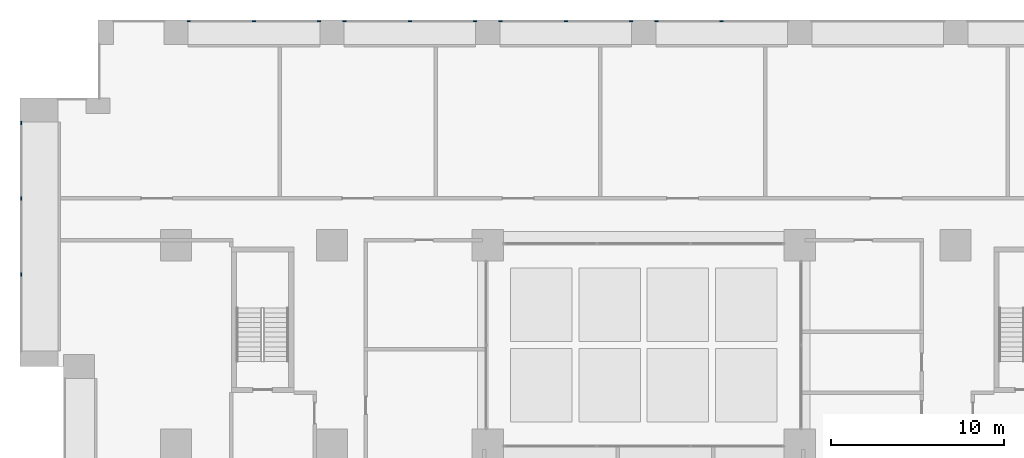
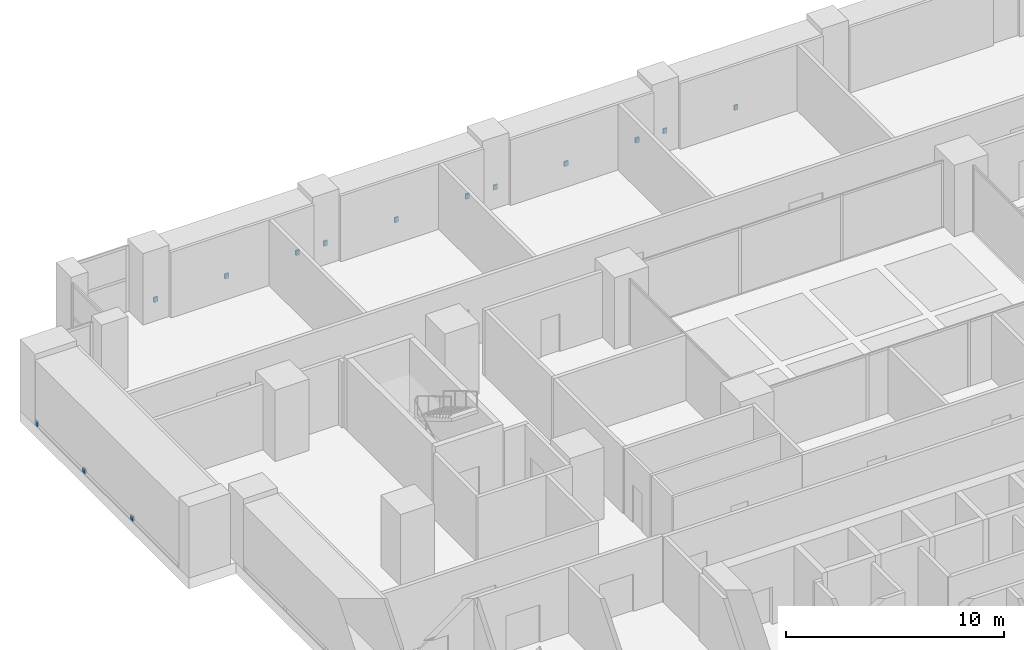
# One storey, part 14 of 24: 14 members, 5 elements without a shape of their own.
"""IFC4 building model written with IfcOpenShell, lengths in metres."""

import ifcopenshell
import ifcopenshell.guid

model = None  # the IFC model being written
_history = None  # IfcOwnerHistory: only IFC2X3 demands one
_inside = {}  # id of a spatial element -> (the spatial element, [elements in it])
_under = {}  # id of a project, library or spatial element -> (it, [spatial elements below it])
_declared = {}  # id of a project -> (the project, [libraries it declares])
_typed = {}  # id of a type object -> (the type object, [elements of that type])
_made_of = {}  # id of a material, layer set ... -> (it, [elements and type objects made of it])


def new_model(schema):
    """Start an empty IFC model of exactly this schema.

    Asked for "IFC4X3", IfcOpenShell would pick the latest addendum, in which some entities
    have other attributes; the version numbers below select the first issue.
    IFC2X3 requires an IfcOwnerHistory on every rooted entity: one is made here for all.
    """
    global model, _history
    if schema == "IFC4X3":
        model = ifcopenshell.file(schema_version=(4, 3, 0, 0))
    else:
        model = ifcopenshell.file(schema=schema)
    _inside.clear()
    _under.clear()
    _declared.clear()
    _typed.clear()
    _made_of.clear()
    _history = None
    if model.schema == "IFC2X3":
        org = make("IfcOrganization", Name="unknown")
        user = make(
            "IfcPersonAndOrganization",
            ThePerson=make("IfcPerson", FamilyName="unknown"),
            TheOrganization=org,
        )
        app = make(
            "IfcApplication",
            ApplicationDeveloper=org,
            Version="unknown",
            ApplicationFullName="unknown",
            ApplicationIdentifier="unknown",
        )
        _history = make(
            "IfcOwnerHistory",
            OwningUser=user,
            OwningApplication=app,
            ChangeAction="ADDED",
            CreationDate=0,
        )
    return model


def make(cls, **values):
    """One entity of the class cls with the attributes given. An attribute that is None is left unset."""
    return model.create_entity(
        cls, **{name: value for name, value in values.items() if value is not None}
    )


def rooted(cls, **values):
    """An entity with a GlobalId (a new one), such as an element, a storey or a relation."""
    return make(cls, GlobalId=ifcopenshell.guid.new(), OwnerHistory=_history, **values)


def si_unit(unit_type, name, prefix=None):
    """IfcSIUnit, for example si_unit("LENGTHUNIT", "METRE", prefix="MILLI")."""
    return make("IfcSIUnit", UnitType=unit_type, Prefix=prefix, Name=name)


def assignment(units):
    """IfcUnitAssignment: the units of a project."""
    return None if units is None else make("IfcUnitAssignment", Units=units)


def point(xyz):
    """IfcCartesianPoint."""
    return None if xyz is None else make("IfcCartesianPoint", Coordinates=xyz)


def direction(xyz):
    """IfcDirection."""
    return None if xyz is None else make("IfcDirection", DirectionRatios=xyz)


def frame(location, z_axis=None, x_axis=None):
    """IfcAxis2Placement3D, a coordinate frame: its origin and axes. An axis left out is left unset."""
    return make(
        "IfcAxis2Placement3D",
        Location=point(location),
        Axis=direction(z_axis),
        RefDirection=direction(x_axis),
    )


def frame_2d(location, x_axis=None):
    """IfcAxis2Placement2D, a coordinate frame in the plane: its origin and x axis."""
    return make(
        "IfcAxis2Placement2D", Location=point(location), RefDirection=direction(x_axis)
    )


def origin():
    """The frame at (0, 0, 0) with its axes left unset."""
    return frame((0.0, 0.0, 0.0))


def origin_2d():
    """The frame at (0, 0) in the plane with its x axis left unset."""
    return frame_2d((0.0, 0.0))


def place(relative_to, where):
    """IfcLocalPlacement: puts the frame where relative to a parent placement (None: the world)."""
    return make(
        "IfcLocalPlacement", PlacementRelTo=relative_to, RelativePlacement=where
    )


def context(
    kind, dimensions, precision=None, world=None, true_north=None, identifier=None
):
    """IfcGeometricRepresentationContext, for example the 3D "Model" context."""
    return make(
        "IfcGeometricRepresentationContext",
        ContextIdentifier=identifier,
        ContextType=kind,
        CoordinateSpaceDimension=dimensions,
        Precision=precision,
        WorldCoordinateSystem=world,
        TrueNorth=true_north,
    )


def subcontext(parent, identifier, kind, view, scale=None):
    """IfcGeometricRepresentationSubContext, for example "Body" below "Model"."""
    return make(
        "IfcGeometricRepresentationSubContext",
        ContextIdentifier=identifier,
        ContextType=kind,
        ParentContext=parent,
        TargetScale=scale,
        TargetView=view,
    )


def project(units=None, contexts=None):
    """IfcProject with its units and contexts."""
    return rooted(
        "IfcProject",
        Name="project",
        RepresentationContexts=contexts,
        UnitsInContext=assignment(units),
    )


def spatial(cls, under=None, at=None, **own):
    """A site, building, storey or space (cls), placed at a placement, below another one or the project."""
    s = rooted(cls, ObjectPlacement=at, **own)
    if under is not None:
        _under.setdefault(under.id(), (under, []))[1].append(s)
    return s


def profile(cls, at=None, kind="AREA", **sizes):
    """A parametric profile (cls). Its sizes go by their IFC names, for example OverallWidth=200.0."""
    return make(cls, ProfileType=kind, Position=at, **sizes)


def rectangle(**sizes):
    """IfcRectangleProfileDef."""
    return profile("IfcRectangleProfileDef", **sizes)


def extrude(swept, where, along, depth):
    """IfcExtrudedAreaSolid: the profile swept, set in the frame where, extruded along a direction by depth."""
    return make(
        "IfcExtrudedAreaSolid",
        SweptArea=swept,
        Position=where,
        ExtrudedDirection=direction(along),
        Depth=depth,
    )


def shape(context_of_items, identifier, shape_type, items):
    """IfcShapeRepresentation: the items that make up one representation, for example the "Body"."""
    return make(
        "IfcShapeRepresentation",
        ContextOfItems=context_of_items,
        RepresentationIdentifier=identifier,
        RepresentationType=shape_type,
        Items=items,
    )


def material(Name=None, Category=None):
    """IfcMaterial."""
    return make("IfcMaterial", Name=Name, Category=Category)


def layer(
    of_material, thickness, ventilated=None, Name=None, Category=None, Priority=None
):
    """IfcMaterialLayer: one layer of a wall or slab, of a material (None: an air gap)."""
    return make(
        "IfcMaterialLayer",
        Material=of_material,
        LayerThickness=thickness,
        IsVentilated=ventilated,
        Name=Name,
        Category=Category,
        Priority=Priority,
    )


def layer_set(layers, Name=None):
    """IfcMaterialLayerSet."""
    return make("IfcMaterialLayerSet", MaterialLayers=layers, LayerSetName=Name)


def material_profile(
    of_material, cross_section, Name=None, Category=None, Priority=None
):
    """IfcMaterialProfile: a cross section and its material."""
    return make(
        "IfcMaterialProfile",
        Name=Name,
        Material=of_material,
        Profile=cross_section,
        Priority=Priority,
        Category=Category,
    )


def profile_set(profiles, Name=None, composite=None):
    """IfcMaterialProfileSet."""
    return make(
        "IfcMaterialProfileSet",
        Name=Name,
        MaterialProfiles=profiles,
        CompositeProfile=composite,
    )


def made_of(thing, what):
    """Note that an element or type object is made of a material, layer set ...; save() writes the relation."""
    if what is not None:
        _made_of.setdefault(what.id(), (what, []))[1].append(thing)
    return thing


def type_object(cls, material=None, **own):
    """A type object (cls), such as IfcWallType, which elements share."""
    return made_of(rooted(cls, **own), material)


def element(
    cls,
    number,
    at=None,
    inside=None,
    cuts=None,
    type_object=None,
    material=None,
    context=None,
    identifier="Body",
    shape_type=None,
    held_by="IfcProductDefinitionShape",
    body=None,
    shapes=None,
    **own,
):
    """One element of the class cls, such as IfcWall. Its Tag is "e" and its number.

    at: its placement. inside: the storey or other place that contains it. cuts: it is an
    opening in that element (IfcRelVoidsElement). A single representation is given by context,
    identifier, shape_type and body (its items); several are given by shapes. held_by: the class
    of the entity that holds the representations. save() writes the other relations.
    """
    e = rooted(cls, Tag="e%d" % number, ObjectPlacement=at, **own)
    if body is not None:
        shapes = [shape(context, identifier, shape_type, body)]
    if shapes is not None:
        e.Representation = make(held_by, Representations=shapes)
    if inside is not None:
        _inside.setdefault(inside.id(), (inside, []))[1].append(e)
    if cuts is not None:
        rooted(
            "IfcRelVoidsElement", RelatingBuildingElement=cuts, RelatedOpeningElement=e
        )
    if type_object is not None:
        _typed.setdefault(type_object.id(), (type_object, []))[1].append(e)
    return made_of(e, material)


def aggregate(whole, parts):
    """IfcRelAggregates: a whole, such as a stair, and the parts it consists of."""
    return rooted("IfcRelAggregates", RelatingObject=whole, RelatedObjects=parts)


def save(model, path):
    """Write the relations noted so far, then the file.

    IfcRelAggregates (storeys below a building ...), IfcRelContainedInSpatialStructure (elements
    in a storey), IfcRelDefinesByType, IfcRelAssociatesMaterial and IfcRelDeclares: one each for
    every whole, place, type object, material and project.
    """
    for whole, parts in _under.values():
        aggregate(whole, parts)
    for where, things in _inside.values():
        rooted(
            "IfcRelContainedInSpatialStructure",
            RelatedElements=things,
            RelatingStructure=where,
        )
    for kind, things in _typed.values():
        rooted("IfcRelDefinesByType", RelatedObjects=things, RelatingType=kind)
    for what, things in _made_of.values():
        rooted("IfcRelAssociatesMaterial", RelatedObjects=things, RelatingMaterial=what)
    for by, libraries in _declared.values():
        rooted("IfcRelDeclares", RelatingContext=by, RelatedDefinitions=libraries)
    model.write(path)


model = new_model("IFC4")

# Units and contexts
model_context = context("Model", 3, precision=1e-05, world=origin(), true_north=direction((0.0, 1.0)))
body_context = subcontext(model_context, "Body", "Model", "MODEL_VIEW")
ifc_project = project(units=[si_unit("LENGTHUNIT", "METRE"), si_unit("AREAUNIT", "SQUARE_METRE"), si_unit("VOLUMEUNIT", "CUBIC_METRE"), si_unit("PLANEANGLEUNIT", "RADIAN"), si_unit("MASSUNIT", "GRAM", prefix="KILO")], contexts=[model_context])

# Site, building, storey
site_placement = place(None, origin())
site = spatial("IfcSite", under=ifc_project, at=site_placement, CompositionType="ELEMENT")
building_placement = place(site_placement, origin())
building = spatial("IfcBuilding", under=site, at=building_placement, Name="Brigalow Station Residences", CompositionType="ELEMENT")
storey_placement = place(building_placement, frame((0.0, 0.0, 15.5)))
storey = spatial("IfcBuildingStorey", under=building, at=storey_placement, Name="L03", CompositionType="ELEMENT", Elevation=15.5)

# Curtain wall, members
ifc_material_1 = material(Name="Aluminium", Category="aluminium")
ifc_layer = layer(ifc_material_1, 0.199951171875)
ifc_layer_set = layer_set([ifc_layer], Name="REFUGE FLOOR LOUVRE CURTAIN WALL")
curtain_wall_type = type_object("IfcCurtainWallType", Name="REFUGE FLOOR LOUVRE CURTAIN WALL", PredefinedType="NOTDEFINED", material=ifc_layer_set)
curtain_wall_1_placement = place(storey_placement, origin())
curtain_wall_1 = element("IfcCurtainWall", 1, at=curtain_wall_1_placement, inside=storey, type_object=curtain_wall_type, Name="L03/cw/louvre-slot-W-L03-25-10", PredefinedType="NOTDEFINED")
ifc_material_2 = material(Name="Aluminium", Category="aluminium")
ifc_material_profile = material_profile(ifc_material_2, rectangle(XDim=0.080078125, YDim=0.199951171875, at=origin_2d()), Name="REFUGE FLOOR LOUVRE MULLION 80x200")
ifc_profile_set = profile_set([ifc_material_profile], Name="Aluminium")
member_type = type_object("IfcMemberType", Name="REFUGE FLOOR LOUVRE MULLION 80x200", PredefinedType="MULLION", material=ifc_profile_set)
member_1_placement = place(storey_placement, frame((40.5, 48.425048828125, 0.0), z_axis=(0.0, 0.0, 1.0), x_axis=(0.0, -1.0, 0.0)))
member_1 = element("IfcMember", 2, at=member_1_placement, type_object=member_type, Name="L03/cw/louvre-slot-W-L03-25-10/M01", PredefinedType="MULLION", context=body_context, shape_type="SweptSolid", body=[
    extrude(rectangle(XDim=0.080078125, YDim=0.199951171875, at=origin_2d()), origin(), (0.0, 0.0, 1.0), 0.280029296875),
])
member_2_placement = place(storey_placement, frame((36.739990234375, 48.425048828125, 0.0), z_axis=(0.0, 0.0, 1.0), x_axis=(0.0, -1.0, 0.0)))
member_2 = element("IfcMember", 3, at=member_2_placement, type_object=member_type, Name="L03/cw/louvre-slot-W-L03-25-10/M02", PredefinedType="MULLION", context=body_context, shape_type="SweptSolid", body=[
    extrude(rectangle(XDim=0.080078125, YDim=0.199951171875, at=origin_2d()), origin(), (0.0, 0.0, 1.0), 0.280029296875),
])
aggregate(curtain_wall_1, [member_1, member_2])

curtain_wall_2_placement = place(storey_placement, origin())
curtain_wall_2 = element("IfcCurtainWall", 4, at=curtain_wall_2_placement, inside=storey, type_object=curtain_wall_type, Name="L03/cw/louvre-slot-W-L03-25-11", PredefinedType="NOTDEFINED")
member_3_placement = place(storey_placement, frame((35.260009765625, 48.425048828125, 0.0), z_axis=(0.0, 0.0, 1.0), x_axis=(0.0, -1.0, 0.0)))
member_3 = element("IfcMember", 5, at=member_3_placement, type_object=member_type, Name="L03/cw/louvre-slot-W-L03-25-11/M00", PredefinedType="MULLION", context=body_context, shape_type="SweptSolid", body=[
    extrude(rectangle(XDim=0.080078125, YDim=0.199951171875, at=origin_2d()), origin(), (0.0, 0.0, 1.0), 0.280029296875),
])
member_4_placement = place(storey_placement, frame((31.5, 48.425048828125, 0.0), z_axis=(0.0, 0.0, 1.0), x_axis=(0.0, -1.0, 0.0)))
member_4 = element("IfcMember", 6, at=member_4_placement, type_object=member_type, Name="L03/cw/louvre-slot-W-L03-25-11/M01", PredefinedType="MULLION", context=body_context, shape_type="SweptSolid", body=[
    extrude(rectangle(XDim=0.080078125, YDim=0.199951171875, at=origin_2d()), origin(), (0.0, 0.0, 1.0), 0.280029296875),
])
member_5_placement = place(storey_placement, frame((27.739990234375, 48.425048828125, 0.0), z_axis=(0.0, 0.0, 1.0), x_axis=(0.0, -1.0, 0.0)))
member_5 = element("IfcMember", 7, at=member_5_placement, type_object=member_type, Name="L03/cw/louvre-slot-W-L03-25-11/M02", PredefinedType="MULLION", context=body_context, shape_type="SweptSolid", body=[
    extrude(rectangle(XDim=0.080078125, YDim=0.199951171875, at=origin_2d()), origin(), (0.0, 0.0, 1.0), 0.280029296875),
])
aggregate(curtain_wall_2, [member_3, member_4, member_5])

curtain_wall_3_placement = place(storey_placement, origin())
curtain_wall_3 = element("IfcCurtainWall", 8, at=curtain_wall_3_placement, inside=storey, type_object=curtain_wall_type, Name="L03/cw/louvre-slot-W-L03-25-12", PredefinedType="NOTDEFINED")
member_6_placement = place(storey_placement, frame((26.260009765625, 48.425048828125, 0.0), z_axis=(0.0, 0.0, 1.0), x_axis=(0.0, -1.0, 0.0)))
member_6 = element("IfcMember", 9, at=member_6_placement, type_object=member_type, Name="L03/cw/louvre-slot-W-L03-25-12/M00", PredefinedType="MULLION", context=body_context, shape_type="SweptSolid", body=[
    extrude(rectangle(XDim=0.080078125, YDim=0.199951171875, at=origin_2d()), origin(), (0.0, 0.0, 1.0), 0.280029296875),
])
member_7_placement = place(storey_placement, frame((22.5, 48.425048828125, 0.0), z_axis=(0.0, 0.0, 1.0), x_axis=(0.0, -1.0, 0.0)))
member_7 = element("IfcMember", 10, at=member_7_placement, type_object=member_type, Name="L03/cw/louvre-slot-W-L03-25-12/M01", PredefinedType="MULLION", context=body_context, shape_type="SweptSolid", body=[
    extrude(rectangle(XDim=0.080078125, YDim=0.199951171875, at=origin_2d()), origin(), (0.0, 0.0, 1.0), 0.280029296875),
])
member_8_placement = place(storey_placement, frame((18.739990234375, 48.425048828125, 0.0), z_axis=(0.0, 0.0, 1.0), x_axis=(0.0, -1.0, 0.0)))
member_8 = element("IfcMember", 11, at=member_8_placement, type_object=member_type, Name="L03/cw/louvre-slot-W-L03-25-12/M02", PredefinedType="MULLION", context=body_context, shape_type="SweptSolid", body=[
    extrude(rectangle(XDim=0.080078125, YDim=0.199951171875, at=origin_2d()), origin(), (0.0, 0.0, 1.0), 0.280029296875),
])
aggregate(curtain_wall_3, [member_6, member_7, member_8])

curtain_wall_4_placement = place(storey_placement, origin())
curtain_wall_4 = element("IfcCurtainWall", 12, at=curtain_wall_4_placement, inside=storey, type_object=curtain_wall_type, Name="L03/cw/louvre-slot-W-L03-25-13", PredefinedType="NOTDEFINED")
member_9_placement = place(storey_placement, frame((17.260009765625, 48.425048828125, 0.0), z_axis=(0.0, 0.0, 1.0), x_axis=(0.0, -1.0, 0.0)))
member_9 = element("IfcMember", 13, at=member_9_placement, type_object=member_type, Name="L03/cw/louvre-slot-W-L03-25-13/M00", PredefinedType="MULLION", context=body_context, shape_type="SweptSolid", body=[
    extrude(rectangle(XDim=0.080078125, YDim=0.199951171875, at=origin_2d()), origin(), (0.0, 0.0, 1.0), 0.280029296875),
])
member_10_placement = place(storey_placement, frame((13.5, 48.425048828125, 0.0), z_axis=(0.0, 0.0, 1.0), x_axis=(0.0, -1.0, 0.0)))
member_10 = element("IfcMember", 14, at=member_10_placement, type_object=member_type, Name="L03/cw/louvre-slot-W-L03-25-13/M01", PredefinedType="MULLION", context=body_context, shape_type="SweptSolid", body=[
    extrude(rectangle(XDim=0.080078125, YDim=0.199951171875, at=origin_2d()), origin(), (0.0, 0.0, 1.0), 0.280029296875),
])
member_11_placement = place(storey_placement, frame((9.739990234375, 48.425048828125, 0.0), z_axis=(0.0, 0.0, 1.0), x_axis=(0.0, -1.0, 0.0)))
member_11 = element("IfcMember", 15, at=member_11_placement, type_object=member_type, Name="L03/cw/louvre-slot-W-L03-25-13/M02", PredefinedType="MULLION", context=body_context, shape_type="SweptSolid", body=[
    extrude(rectangle(XDim=0.080078125, YDim=0.199951171875, at=origin_2d()), origin(), (0.0, 0.0, 1.0), 0.280029296875),
])
aggregate(curtain_wall_4, [member_9, member_10, member_11])

curtain_wall_5_placement = place(storey_placement, origin())
curtain_wall_5 = element("IfcCurtainWall", 16, at=curtain_wall_5_placement, inside=storey, type_object=curtain_wall_type, Name="L03/cw/louvre-slot-W-L03-42-14", PredefinedType="NOTDEFINED")
member_12_placement = place(storey_placement, frame((0.074951171875, 42.56005859375, 0.0), z_axis=(0.0, 0.0, 1.0), x_axis=(1.0, 0.0, 0.0)))
member_12 = element("IfcMember", 17, at=member_12_placement, type_object=member_type, Name="L03/cw/louvre-slot-W-L03-42-14/M00", PredefinedType="MULLION", context=body_context, shape_type="SweptSolid", body=[
    extrude(rectangle(XDim=0.080078125, YDim=0.199951171875, at=origin_2d()), origin(), (0.0, 0.0, 1.0), 0.280029296875),
])
member_13_placement = place(storey_placement, frame((0.074951171875, 38.199951171875, 0.0), z_axis=(0.0, 0.0, 1.0), x_axis=(1.0, 0.0, 0.0)))
member_13 = element("IfcMember", 18, at=member_13_placement, type_object=member_type, Name="L03/cw/louvre-slot-W-L03-42-14/M01", PredefinedType="MULLION", context=body_context, shape_type="SweptSolid", body=[
    extrude(rectangle(XDim=0.080078125, YDim=0.199951171875, at=origin_2d()), origin(), (0.0, 0.0, 1.0), 0.280029296875),
])
member_14_placement = place(storey_placement, frame((0.074951171875, 33.800048828125, 0.0), z_axis=(0.0, 0.0, 1.0), x_axis=(1.0, 0.0, 0.0)))
member_14 = element("IfcMember", 19, at=member_14_placement, type_object=member_type, Name="L03/cw/louvre-slot-W-L03-42-14/M02", PredefinedType="MULLION", context=body_context, shape_type="SweptSolid", body=[
    extrude(rectangle(XDim=0.080078125, YDim=0.199951171875, at=origin_2d()), origin(), (0.0, 0.0, 1.0), 0.280029296875),
])
aggregate(curtain_wall_5, [member_12, member_13, member_14])

save(model, "model.ifc")
